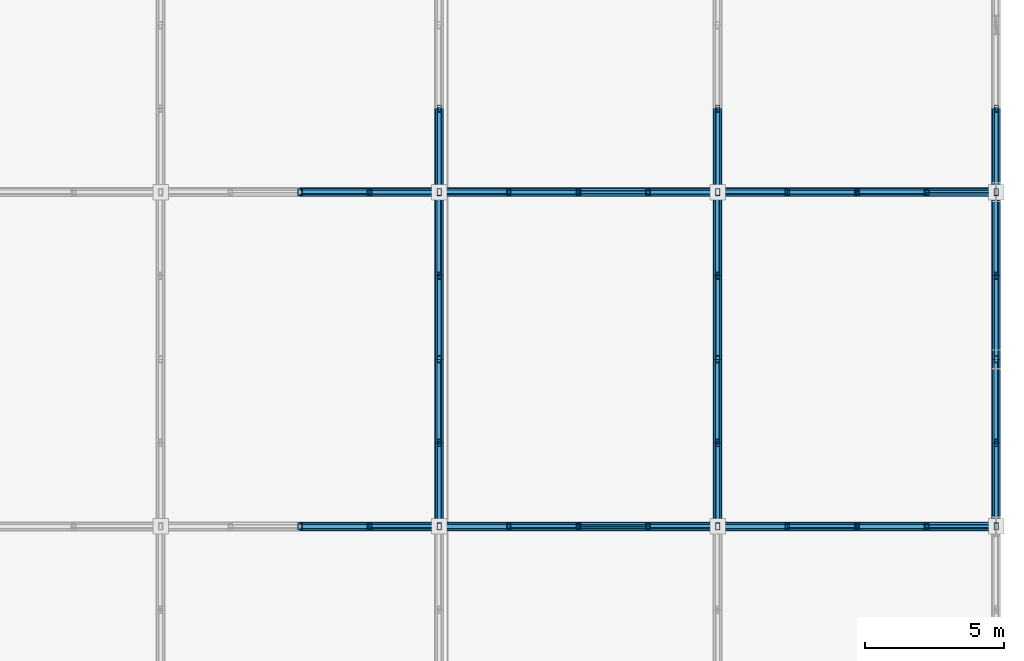
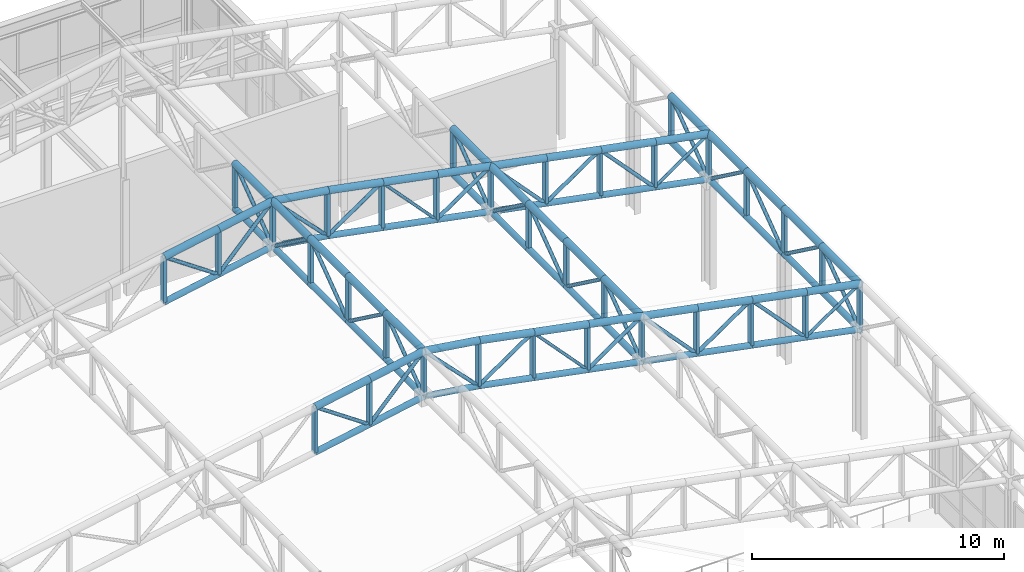
# One storey, part 67 of 112: 139 members.
"""IFC4 building model written with IfcOpenShell, lengths in metres."""

from ifc_helpers import new_model, si_unit, direction, frame, origin, origin_2d, place, context, subcontext, project, spatial, hollow_rectangle, hollow_circle, extrude, material, material_profile, profile_set, type_object, element, save


model = new_model("IFC4")

# Units and contexts
model_context = context("Model", 3, precision=1e-05, world=origin(), true_north=direction((0.0, 1.0)))
body_context = subcontext(model_context, "Body", "Model", "MODEL_VIEW")
ifc_project = project(units=[si_unit("LENGTHUNIT", "METRE"), si_unit("AREAUNIT", "SQUARE_METRE"), si_unit("VOLUMEUNIT", "CUBIC_METRE"), si_unit("PLANEANGLEUNIT", "RADIAN"), si_unit("MASSUNIT", "GRAM", prefix="KILO")], contexts=[model_context])

# Site, building, storey
site_placement = place(None, origin())
site = spatial("IfcSite", under=ifc_project, at=site_placement, CompositionType="ELEMENT")
building_placement = place(site_placement, origin())
building = spatial("IfcBuilding", under=site, at=building_placement, Name="Kaldris Quays Convention Centre", CompositionType="ELEMENT")
storey_placement = place(building_placement, frame((0.0, 0.0, 16.800048828125)))
storey = spatial("IfcBuildingStorey", under=building, at=storey_placement, Name="L03", CompositionType="ELEMENT", Elevation=16.800048828125)

# Members
ifc_material = material(Name="Steel S355J2H", Category="steel")
ifc_material_profile_1 = material_profile(ifc_material, hollow_circle(Radius=0.161865234375, WallThickness=0.01611328125, at=origin_2d()), Name="CHS 323.9x16")
ifc_profile_set_1 = profile_set([ifc_material_profile_1], Name="Steel S355J2H")
member_type_1 = type_object("IfcMemberType", Name="STRUCTURAL MEMBER SC03", PredefinedType="CHORD", material=ifc_profile_set_1)
for number, where, z_axis, x_axis, name in (
    (1, (179.0, 80.0, 10.108154296875), (0.981903710383, 0.0, 0.189380842579), (0.0, 1.0, 0.0), "SF-V2 Top Chord X 36"),
    (2, (181.5, 80.0, 10.59033203125), (0.981903710383, 0.0, 0.189380842579), (0.0, 1.0, 0.0), "SF-V2 Top Chord X 37"),
):
    element("IfcMember", number, at=place(storey_placement, frame(where, z_axis=z_axis, x_axis=x_axis)), inside=storey, type_object=member_type_1, Name=name, PredefinedType="CHORD", context=body_context, shape_type="SweptSolid", body=[
        extrude(hollow_circle(Radius=0.161865234375, WallThickness=0.01611328125, at=origin_2d()), origin(), (0.0, 0.0, 1.0), 2.546142578125),
    ])
member_1_placement = place(storey_placement, frame((184.0, 80.0, 11.072509765625), z_axis=(0.989426934202, 0.0, -0.145032209789), x_axis=(0.0, 1.0, 0.0)))
element("IfcMember", 3, at=member_1_placement, inside=storey, type_object=member_type_1, Name="SF-V2 Top Chord X 38", PredefinedType="CHORD", context=body_context, shape_type="SweptSolid", body=[
    extrude(hollow_circle(Radius=0.161865234375, WallThickness=0.01611328125, at=origin_2d()), origin(), (0.0, 0.0, 1.0), 2.526611328125),
])
for number, where, z_axis, x_axis, name in (
    (4, (186.5, 80.0, 10.7060546875), (0.981903710383, 0.0, -0.189380842579), (0.0, 1.0, 0.0), "SF-V2 Top Chord X 39"),
    (5, (189.0, 80.0, 10.223876953125), (0.981903710383, 0.0, -0.189380842579), (0.0, 1.0, 0.0), "SF-V2 Top Chord X 40"),
    (6, (191.5, 80.0, 9.74169921875), (0.981885875429, 0.0, -0.189473290024), (0.0, 1.0, 0.0), "SF-V2 Top Chord X 41"),
    (7, (194.0, 80.0, 9.25927734375), (0.981903710383, 0.0, -0.189380842579), (0.0, 1.0, 0.0), "SF-V2 Top Chord X 42"),
    (8, (196.5, 80.0, 8.777099609375), (0.981903710383, 0.0, -0.189380842579), (0.0, 1.0, 0.0), "SF-V2 Top Chord X 43"),
    (9, (199.0, 80.0, 8.294921875), (0.981903710383, 0.0, -0.189380842579), (0.0, 1.0, 0.0), "SF-V2 Top Chord X 44"),
    (10, (201.5, 80.0, 7.812744140625), (0.981903710383, 0.0, -0.189380842579), (0.0, 1.0, 0.0), "SF-V2 Top Chord X 45"),
    (11, (179.0, 92.0, 10.108154296875), (0.981903710383, 0.0, 0.189380842579), (0.0, 1.0, 0.0), "SF-V2 Top Chord X 51"),
    (12, (181.5, 92.0, 10.59033203125), (0.981903710383, 0.0, 0.189380842579), (0.0, 1.0, 0.0), "SF-V2 Top Chord X 52"),
):
    element("IfcMember", number, at=place(storey_placement, frame(where, z_axis=z_axis, x_axis=x_axis)), inside=storey, type_object=member_type_1, Name=name, PredefinedType="CHORD", context=body_context, shape_type="SweptSolid", body=[
        extrude(hollow_circle(Radius=0.161865234375, WallThickness=0.01611328125, at=origin_2d()), origin(), (0.0, 0.0, 1.0), 2.546142578125),
    ])
member_2_placement = place(storey_placement, frame((184.0, 92.0, 11.072509765625), z_axis=(0.989426934202, 0.0, -0.145032209789), x_axis=(0.0, 1.0, 0.0)))
element("IfcMember", 13, at=member_2_placement, inside=storey, type_object=member_type_1, Name="SF-V2 Top Chord X 53", PredefinedType="CHORD", context=body_context, shape_type="SweptSolid", body=[
    extrude(hollow_circle(Radius=0.161865234375, WallThickness=0.01611328125, at=origin_2d()), origin(), (0.0, 0.0, 1.0), 2.526611328125),
])
for number, where, z_axis, x_axis, name in (
    (14, (186.5, 92.0, 10.7060546875), (0.981903710383, 0.0, -0.189380842579), (0.0, 1.0, 0.0), "SF-V2 Top Chord X 54"),
    (15, (189.0, 92.0, 10.223876953125), (0.981903710383, 0.0, -0.189380842579), (0.0, 1.0, 0.0), "SF-V2 Top Chord X 55"),
    (16, (191.5, 92.0, 9.74169921875), (0.981885875429, 0.0, -0.189473290024), (0.0, 1.0, 0.0), "SF-V2 Top Chord X 56"),
    (17, (194.0, 92.0, 9.25927734375), (0.981903710383, 0.0, -0.189380842579), (0.0, 1.0, 0.0), "SF-V2 Top Chord X 57"),
    (18, (196.5, 92.0, 8.777099609375), (0.981903710383, 0.0, -0.189380842579), (0.0, 1.0, 0.0), "SF-V2 Top Chord X 58"),
    (19, (199.0, 92.0, 8.294921875), (0.981903710383, 0.0, -0.189380842579), (0.0, 1.0, 0.0), "SF-V2 Top Chord X 59"),
    (20, (201.5, 92.0, 7.812744140625), (0.981903710383, 0.0, -0.189380842579), (0.0, 1.0, 0.0), "SF-V2 Top Chord X 60"),
):
    element("IfcMember", number, at=place(storey_placement, frame(where, z_axis=z_axis, x_axis=x_axis)), inside=storey, type_object=member_type_1, Name=name, PredefinedType="CHORD", context=body_context, shape_type="SweptSolid", body=[
        extrude(hollow_circle(Radius=0.161865234375, WallThickness=0.01611328125, at=origin_2d()), origin(), (0.0, 0.0, 1.0), 2.546142578125),
    ])
for number, where, z_axis, x_axis, name in (
    (21, (184.0, 80.0, 11.072509765625), (0.0, 1.0, 0.0), (-1.0, 0.0, 0.0), "SF-V2 Top Chord Y 116"),
    (22, (184.0, 83.0, 11.072509765625), (0.0, 1.0, 0.0), (-1.0, 0.0, 0.0), "SF-V2 Top Chord Y 117"),
    (23, (184.0, 86.0, 11.072509765625), (0.0, 1.0, 0.0), (-1.0, 0.0, 0.0), "SF-V2 Top Chord Y 118"),
    (24, (184.0, 89.0, 11.072509765625), (0.0, 1.0, 0.0), (-1.0, 0.0, 0.0), "SF-V2 Top Chord Y 119"),
    (25, (184.0, 92.0, 11.072509765625), (0.0, 1.0, 0.0), (-1.0, 0.0, 0.0), "SF-V2 Top Chord Y 120"),
    (26, (194.0, 80.0, 9.25927734375), (0.0, 1.0, 0.0), (-1.0, 0.0, 0.0), "SF-V2 Top Chord Y 132"),
    (27, (194.0, 83.0, 9.25927734375), (0.0, 1.0, 0.0), (-1.0, 0.0, 0.0), "SF-V2 Top Chord Y 133"),
    (28, (194.0, 86.0, 9.25927734375), (0.0, 1.0, 0.0), (-1.0, 0.0, 0.0), "SF-V2 Top Chord Y 134"),
    (29, (194.0, 89.0, 9.25927734375), (0.0, 1.0, 0.0), (-1.0, 0.0, 0.0), "SF-V2 Top Chord Y 135"),
    (30, (194.0, 92.0, 9.25927734375), (0.0, 1.0, 0.0), (-1.0, 0.0, 0.0), "SF-V2 Top Chord Y 136"),
    (31, (204.0, 80.0, 7.33056640625), (0.0, 1.0, 0.0), (-1.0, 0.0, 0.0), "SF-V2 Top Chord Y 148"),
    (32, (204.0, 83.0, 7.33056640625), (0.0, 1.0, 0.0), (-1.0, 0.0, 0.0), "SF-V2 Top Chord Y 149"),
    (33, (204.0, 86.0, 7.33056640625), (0.0, 1.0, 0.0), (-1.0, 0.0, 0.0), "SF-V2 Top Chord Y 150"),
    (34, (204.0, 89.0, 7.33056640625), (0.0, 1.0, 0.0), (-1.0, 0.0, 0.0), "SF-V2 Top Chord Y 151"),
    (35, (204.0, 92.0, 7.33056640625), (0.0, 1.0, 0.0), (-1.0, 0.0, 0.0), "SF-V2 Top Chord Y 152"),
):
    element("IfcMember", number, at=place(storey_placement, frame(where, z_axis=z_axis, x_axis=x_axis)), inside=storey, type_object=member_type_1, Name=name, PredefinedType="CHORD", context=body_context, shape_type="SweptSolid", body=[
        extrude(hollow_circle(Radius=0.161865234375, WallThickness=0.01611328125, at=origin_2d()), origin(), (0.0, 0.0, 1.0), 3.0),
    ])
ifc_material_profile_2 = material_profile(ifc_material, hollow_circle(Radius=0.136474609375, WallThickness=0.012451171875, at=origin_2d()), Name="CHS 273x12.5")
ifc_profile_set_2 = profile_set([ifc_material_profile_2], Name="Steel S355J2H")
member_type_2 = type_object("IfcMemberType", Name="STRUCTURAL MEMBER SC04", PredefinedType="CHORD", material=ifc_profile_set_2)
for number, where, z_axis, x_axis, name in (
    (36, (179.0, 80.0, 7.908203125), (0.981903710383, 0.0, 0.189380842579), (0.0, 1.0, 0.0), "SF-V2 Bottom Chord X 36"),
    (37, (181.5, 80.0, 8.390380859375), (0.981903710383, 0.0, 0.189380842579), (0.0, 1.0, 0.0), "SF-V2 Bottom Chord X 37"),
):
    element("IfcMember", number, at=place(storey_placement, frame(where, z_axis=z_axis, x_axis=x_axis)), inside=storey, type_object=member_type_2, Name=name, PredefinedType="CHORD", context=body_context, shape_type="SweptSolid", body=[
        extrude(hollow_circle(Radius=0.136474609375, WallThickness=0.012451171875, at=origin_2d()), origin(), (0.0, 0.0, 1.0), 2.546142578125),
    ])
member_3_placement = place(storey_placement, frame((184.0, 80.0, 8.87255859375), z_axis=(0.989426934202, 0.0, -0.145032209789), x_axis=(0.0, 1.0, 0.0)))
element("IfcMember", 38, at=member_3_placement, inside=storey, type_object=member_type_2, Name="SF-V2 Bottom Chord X 38", PredefinedType="CHORD", context=body_context, shape_type="SweptSolid", body=[
    extrude(hollow_circle(Radius=0.136474609375, WallThickness=0.012451171875, at=origin_2d()), origin(), (0.0, 0.0, 1.0), 2.526611328125),
])
for number, where, z_axis, x_axis, name in (
    (39, (186.5, 80.0, 8.506103515625), (0.981903710383, 0.0, -0.189380842579), (0.0, 1.0, 0.0), "SF-V2 Bottom Chord X 39"),
    (40, (189.0, 80.0, 8.02392578125), (0.981903710383, 0.0, -0.189380842579), (0.0, 1.0, 0.0), "SF-V2 Bottom Chord X 40"),
    (41, (191.5, 80.0, 7.541748046875), (0.981885875429, 0.0, -0.189473290024), (0.0, 1.0, 0.0), "SF-V2 Bottom Chord X 41"),
    (42, (194.0, 80.0, 7.059326171875), (0.981903710383, 0.0, -0.189380842579), (0.0, 1.0, 0.0), "SF-V2 Bottom Chord X 42"),
    (43, (196.5, 80.0, 6.5771484375), (0.981903710383, 0.0, -0.189380842579), (0.0, 1.0, 0.0), "SF-V2 Bottom Chord X 43"),
    (44, (199.0, 80.0, 6.094970703125), (0.981885875429, 0.0, -0.189473290024), (0.0, 1.0, 0.0), "SF-V2 Bottom Chord X 44"),
    (45, (201.5, 80.0, 5.612548828125), (0.981903710383, 0.0, -0.189380842579), (0.0, 1.0, 0.0), "SF-V2 Bottom Chord X 45"),
    (46, (179.0, 92.0, 7.908203125), (0.981903710383, 0.0, 0.189380842579), (0.0, 1.0, 0.0), "SF-V2 Bottom Chord X 51"),
    (47, (181.5, 92.0, 8.390380859375), (0.981903710383, 0.0, 0.189380842579), (0.0, 1.0, 0.0), "SF-V2 Bottom Chord X 52"),
):
    element("IfcMember", number, at=place(storey_placement, frame(where, z_axis=z_axis, x_axis=x_axis)), inside=storey, type_object=member_type_2, Name=name, PredefinedType="CHORD", context=body_context, shape_type="SweptSolid", body=[
        extrude(hollow_circle(Radius=0.136474609375, WallThickness=0.012451171875, at=origin_2d()), origin(), (0.0, 0.0, 1.0), 2.546142578125),
    ])
member_4_placement = place(storey_placement, frame((184.0, 92.0, 8.87255859375), z_axis=(0.989426934202, 0.0, -0.145032209789), x_axis=(0.0, 1.0, 0.0)))
element("IfcMember", 48, at=member_4_placement, inside=storey, type_object=member_type_2, Name="SF-V2 Bottom Chord X 53", PredefinedType="CHORD", context=body_context, shape_type="SweptSolid", body=[
    extrude(hollow_circle(Radius=0.136474609375, WallThickness=0.012451171875, at=origin_2d()), origin(), (0.0, 0.0, 1.0), 2.526611328125),
])
for number, where, z_axis, x_axis, name in (
    (49, (186.5, 92.0, 8.506103515625), (0.981903710383, 0.0, -0.189380842579), (0.0, 1.0, 0.0), "SF-V2 Bottom Chord X 54"),
    (50, (189.0, 92.0, 8.02392578125), (0.981903710383, 0.0, -0.189380842579), (0.0, 1.0, 0.0), "SF-V2 Bottom Chord X 55"),
    (51, (191.5, 92.0, 7.541748046875), (0.981885875429, 0.0, -0.189473290024), (0.0, 1.0, 0.0), "SF-V2 Bottom Chord X 56"),
    (52, (194.0, 92.0, 7.059326171875), (0.981903710383, 0.0, -0.189380842579), (0.0, 1.0, 0.0), "SF-V2 Bottom Chord X 57"),
    (53, (196.5, 92.0, 6.5771484375), (0.981903710383, 0.0, -0.189380842579), (0.0, 1.0, 0.0), "SF-V2 Bottom Chord X 58"),
    (54, (199.0, 92.0, 6.094970703125), (0.981885875429, 0.0, -0.189473290024), (0.0, 1.0, 0.0), "SF-V2 Bottom Chord X 59"),
    (55, (201.5, 92.0, 5.612548828125), (0.981903710383, 0.0, -0.189380842579), (0.0, 1.0, 0.0), "SF-V2 Bottom Chord X 60"),
):
    element("IfcMember", number, at=place(storey_placement, frame(where, z_axis=z_axis, x_axis=x_axis)), inside=storey, type_object=member_type_2, Name=name, PredefinedType="CHORD", context=body_context, shape_type="SweptSolid", body=[
        extrude(hollow_circle(Radius=0.136474609375, WallThickness=0.012451171875, at=origin_2d()), origin(), (0.0, 0.0, 1.0), 2.546142578125),
    ])
for number, where, z_axis, x_axis, name in (
    (56, (184.0, 80.0, 8.87255859375), (0.0, 1.0, 0.0), (-1.0, 0.0, 0.0), "SF-V2 Bottom Chord Y 116"),
    (57, (184.0, 83.0, 8.87255859375), (0.0, 1.0, 0.0), (-1.0, 0.0, 0.0), "SF-V2 Bottom Chord Y 117"),
    (58, (184.0, 86.0, 8.87255859375), (0.0, 1.0, 0.0), (-1.0, 0.0, 0.0), "SF-V2 Bottom Chord Y 118"),
    (59, (184.0, 89.0, 8.87255859375), (0.0, 1.0, 0.0), (-1.0, 0.0, 0.0), "SF-V2 Bottom Chord Y 119"),
    (60, (184.0, 92.0, 8.87255859375), (0.0, 1.0, 0.0), (-1.0, 0.0, 0.0), "SF-V2 Bottom Chord Y 120"),
    (61, (194.0, 80.0, 7.059326171875), (0.0, 1.0, 0.0), (-1.0, 0.0, 0.0), "SF-V2 Bottom Chord Y 132"),
    (62, (194.0, 83.0, 7.059326171875), (0.0, 1.0, 0.0), (-1.0, 0.0, 0.0), "SF-V2 Bottom Chord Y 133"),
    (63, (194.0, 86.0, 7.059326171875), (0.0, 1.0, 0.0), (-1.0, 0.0, 0.0), "SF-V2 Bottom Chord Y 134"),
    (64, (194.0, 89.0, 7.059326171875), (0.0, 1.0, 0.0), (-1.0, 0.0, 0.0), "SF-V2 Bottom Chord Y 135"),
    (65, (194.0, 92.0, 7.059326171875), (0.0, 1.0, 0.0), (-1.0, 0.0, 0.0), "SF-V2 Bottom Chord Y 136"),
    (66, (204.0, 80.0, 5.13037109375), (0.0, 1.0, 0.0), (-1.0, 0.0, 0.0), "SF-V2 Bottom Chord Y 148"),
    (67, (204.0, 83.0, 5.13037109375), (0.0, 1.0, 0.0), (-1.0, 0.0, 0.0), "SF-V2 Bottom Chord Y 149"),
    (68, (204.0, 86.0, 5.13037109375), (0.0, 1.0, 0.0), (-1.0, 0.0, 0.0), "SF-V2 Bottom Chord Y 150"),
    (69, (204.0, 89.0, 5.13037109375), (0.0, 1.0, 0.0), (-1.0, 0.0, 0.0), "SF-V2 Bottom Chord Y 151"),
    (70, (204.0, 92.0, 5.13037109375), (0.0, 1.0, 0.0), (-1.0, 0.0, 0.0), "SF-V2 Bottom Chord Y 152"),
):
    element("IfcMember", number, at=place(storey_placement, frame(where, z_axis=z_axis, x_axis=x_axis)), inside=storey, type_object=member_type_2, Name=name, PredefinedType="CHORD", context=body_context, shape_type="SweptSolid", body=[
        extrude(hollow_circle(Radius=0.136474609375, WallThickness=0.012451171875, at=origin_2d()), origin(), (0.0, 0.0, 1.0), 3.0),
    ])
ifc_material_profile_3 = material_profile(ifc_material, hollow_circle(Radius=0.084228515625, WallThickness=0.008056640625, at=origin_2d()), Name="CHS 168.3x8")
ifc_profile_set_3 = profile_set([ifc_material_profile_3], Name="Steel S355J2H")
member_type_3 = type_object("IfcMemberType", Name="STRUCTURAL MEMBER SWB2", PredefinedType="BRACE", material=ifc_profile_set_3)
member_5_placement = place(storey_placement, frame((181.5, 80.0, 8.390380859375), z_axis=(-0.8241921955, 0.0, 0.56631018433), x_axis=(0.0, -1.0, 0.0)))
element("IfcMember", 71, at=member_5_placement, inside=storey, type_object=member_type_3, Name="SF-V2 Web Diagonal X 36", PredefinedType="BRACE", context=body_context, shape_type="SweptSolid", body=[
    extrude(hollow_circle(Radius=0.084228515625, WallThickness=0.008056640625, at=origin_2d()), origin(), (0.0, 0.0, 1.0), 3.033203125),
])
member_6_placement = place(storey_placement, frame((181.5, 80.0, 8.390380859375), z_axis=(0.68183413121, 0.0, 0.731506813035), x_axis=(0.0, 1.0, 0.0)))
element("IfcMember", 72, at=member_6_placement, inside=storey, type_object=member_type_3, Name="SF-V2 Web Diagonal X 37", PredefinedType="BRACE", context=body_context, shape_type="SweptSolid", body=[
    extrude(hollow_circle(Radius=0.084228515625, WallThickness=0.008056640625, at=origin_2d()), origin(), (0.0, 0.0, 1.0), 3.66650390625),
])
member_7_placement = place(storey_placement, frame((186.5, 80.0, 8.506103515625), z_axis=(-0.697778676232, 0.0, 0.71631342232), x_axis=(0.0, -1.0, 0.0)))
element("IfcMember", 73, at=member_7_placement, inside=storey, type_object=member_type_3, Name="SF-V2 Web Diagonal X 38", PredefinedType="BRACE", context=body_context, shape_type="SweptSolid", body=[
    extrude(hollow_circle(Radius=0.084228515625, WallThickness=0.008056640625, at=origin_2d()), origin(), (0.0, 0.0, 1.0), 3.582763671875),
])
for number, where, z_axis, x_axis, name in (
    (74, (186.5, 80.0, 8.506103515625), (0.8241921955, 0.0, 0.56631018433), (0.0, 1.0, 0.0), "SF-V2 Web Diagonal X 39"),
    (75, (191.5, 80.0, 7.541748046875), (0.824229762823, 0.0, 0.566255506002), (0.0, 1.0, 0.0), "SF-V2 Web Diagonal X 41"),
):
    element("IfcMember", number, at=place(storey_placement, frame(where, z_axis=z_axis, x_axis=x_axis)), inside=storey, type_object=member_type_3, Name=name, PredefinedType="BRACE", context=body_context, shape_type="SweptSolid", body=[
        extrude(hollow_circle(Radius=0.084228515625, WallThickness=0.008056640625, at=origin_2d()), origin(), (0.0, 0.0, 1.0), 3.033203125),
    ])
member_8_placement = place(storey_placement, frame((196.5, 80.0, 6.5771484375), z_axis=(-0.68183413121, 0.0, 0.731506813035), x_axis=(0.0, -1.0, 0.0)))
element("IfcMember", 76, at=member_8_placement, inside=storey, type_object=member_type_3, Name="SF-V2 Web Diagonal X 42", PredefinedType="BRACE", context=body_context, shape_type="SweptSolid", body=[
    extrude(hollow_circle(Radius=0.084228515625, WallThickness=0.008056640625, at=origin_2d()), origin(), (0.0, 0.0, 1.0), 3.66650390625),
])
member_9_placement = place(storey_placement, frame((196.5, 80.0, 6.5771484375), z_axis=(0.8241921955, 0.0, 0.56631018433), x_axis=(0.0, 1.0, 0.0)))
element("IfcMember", 77, at=member_9_placement, inside=storey, type_object=member_type_3, Name="SF-V2 Web Diagonal X 43", PredefinedType="BRACE", context=body_context, shape_type="SweptSolid", body=[
    extrude(hollow_circle(Radius=0.084228515625, WallThickness=0.008056640625, at=origin_2d()), origin(), (0.0, 0.0, 1.0), 3.033203125),
])
member_10_placement = place(storey_placement, frame((201.5, 80.0, 5.612548828125), z_axis=(-0.681800921589, 0.0, 0.731537766162), x_axis=(0.0, -1.0, 0.0)))
element("IfcMember", 78, at=member_10_placement, inside=storey, type_object=member_type_3, Name="SF-V2 Web Diagonal X 44", PredefinedType="BRACE", context=body_context, shape_type="SweptSolid", body=[
    extrude(hollow_circle(Radius=0.084228515625, WallThickness=0.008056640625, at=origin_2d()), origin(), (0.0, 0.0, 1.0), 3.666748046875),
])
member_11_placement = place(storey_placement, frame((181.5, 92.0, 8.390380859375), z_axis=(-0.8241921955, 0.0, 0.56631018433), x_axis=(0.0, -1.0, 0.0)))
element("IfcMember", 79, at=member_11_placement, inside=storey, type_object=member_type_3, Name="SF-V2 Web Diagonal X 51", PredefinedType="BRACE", context=body_context, shape_type="SweptSolid", body=[
    extrude(hollow_circle(Radius=0.084228515625, WallThickness=0.008056640625, at=origin_2d()), origin(), (0.0, 0.0, 1.0), 3.033203125),
])
member_12_placement = place(storey_placement, frame((181.5, 92.0, 8.390380859375), z_axis=(0.68183413121, 0.0, 0.731506813035), x_axis=(0.0, 1.0, 0.0)))
element("IfcMember", 80, at=member_12_placement, inside=storey, type_object=member_type_3, Name="SF-V2 Web Diagonal X 52", PredefinedType="BRACE", context=body_context, shape_type="SweptSolid", body=[
    extrude(hollow_circle(Radius=0.084228515625, WallThickness=0.008056640625, at=origin_2d()), origin(), (0.0, 0.0, 1.0), 3.66650390625),
])
member_13_placement = place(storey_placement, frame((186.5, 92.0, 8.506103515625), z_axis=(-0.697778676232, 0.0, 0.71631342232), x_axis=(0.0, -1.0, 0.0)))
element("IfcMember", 81, at=member_13_placement, inside=storey, type_object=member_type_3, Name="SF-V2 Web Diagonal X 53", PredefinedType="BRACE", context=body_context, shape_type="SweptSolid", body=[
    extrude(hollow_circle(Radius=0.084228515625, WallThickness=0.008056640625, at=origin_2d()), origin(), (0.0, 0.0, 1.0), 3.582763671875),
])
for number, where, z_axis, x_axis, name in (
    (82, (186.5, 92.0, 8.506103515625), (0.8241921955, 0.0, 0.56631018433), (0.0, 1.0, 0.0), "SF-V2 Web Diagonal X 54"),
    (83, (191.5, 92.0, 7.541748046875), (0.824229762823, 0.0, 0.566255506002), (0.0, 1.0, 0.0), "SF-V2 Web Diagonal X 56"),
):
    element("IfcMember", number, at=place(storey_placement, frame(where, z_axis=z_axis, x_axis=x_axis)), inside=storey, type_object=member_type_3, Name=name, PredefinedType="BRACE", context=body_context, shape_type="SweptSolid", body=[
        extrude(hollow_circle(Radius=0.084228515625, WallThickness=0.008056640625, at=origin_2d()), origin(), (0.0, 0.0, 1.0), 3.033203125),
    ])
member_14_placement = place(storey_placement, frame((196.5, 92.0, 6.5771484375), z_axis=(-0.68183413121, 0.0, 0.731506813035), x_axis=(0.0, -1.0, 0.0)))
element("IfcMember", 84, at=member_14_placement, inside=storey, type_object=member_type_3, Name="SF-V2 Web Diagonal X 57", PredefinedType="BRACE", context=body_context, shape_type="SweptSolid", body=[
    extrude(hollow_circle(Radius=0.084228515625, WallThickness=0.008056640625, at=origin_2d()), origin(), (0.0, 0.0, 1.0), 3.66650390625),
])
member_15_placement = place(storey_placement, frame((196.5, 92.0, 6.5771484375), z_axis=(0.8241921955, 0.0, 0.56631018433), x_axis=(0.0, 1.0, 0.0)))
element("IfcMember", 85, at=member_15_placement, inside=storey, type_object=member_type_3, Name="SF-V2 Web Diagonal X 58", PredefinedType="BRACE", context=body_context, shape_type="SweptSolid", body=[
    extrude(hollow_circle(Radius=0.084228515625, WallThickness=0.008056640625, at=origin_2d()), origin(), (0.0, 0.0, 1.0), 3.033203125),
])
member_16_placement = place(storey_placement, frame((201.5, 92.0, 5.612548828125), z_axis=(-0.681800921589, 0.0, 0.731537766162), x_axis=(0.0, -1.0, 0.0)))
element("IfcMember", 86, at=member_16_placement, inside=storey, type_object=member_type_3, Name="SF-V2 Web Diagonal X 59", PredefinedType="BRACE", context=body_context, shape_type="SweptSolid", body=[
    extrude(hollow_circle(Radius=0.084228515625, WallThickness=0.008056640625, at=origin_2d()), origin(), (0.0, 0.0, 1.0), 3.666748046875),
])
for number, where, z_axis, x_axis, name in (
    (87, (184.0, 80.0, 8.87255859375), (0.0, 0.80641125493, 0.591355128432), (-1.0, 0.0, 0.0), "SF-V2 Web Diagonal Y 116"),
    (88, (184.0, 86.0, 8.87255859375), (0.0, -0.80641125493, 0.591355128432), (1.0, 0.0, 0.0), "SF-V2 Web Diagonal Y 117"),
    (89, (184.0, 86.0, 8.87255859375), (0.0, 0.80641125493, 0.591355128432), (-1.0, 0.0, 0.0), "SF-V2 Web Diagonal Y 118"),
    (90, (184.0, 92.0, 8.87255859375), (0.0, -0.80641125493, 0.591355128432), (1.0, 0.0, 0.0), "SF-V2 Web Diagonal Y 119"),
    (91, (184.0, 92.0, 8.87255859375), (0.0, 0.80641125493, 0.591355128432), (-1.0, 0.0, 0.0), "SF-V2 Web Diagonal Y 120"),
    (92, (194.0, 80.0, 7.059326171875), (0.0, 0.80641125493, 0.591355128432), (-1.0, 0.0, 0.0), "SF-V2 Web Diagonal Y 132"),
    (93, (194.0, 86.0, 7.059326171875), (0.0, -0.80641125493, 0.591355128432), (1.0, 0.0, 0.0), "SF-V2 Web Diagonal Y 133"),
    (94, (194.0, 86.0, 7.059326171875), (0.0, 0.80641125493, 0.591355128432), (-1.0, 0.0, 0.0), "SF-V2 Web Diagonal Y 134"),
    (95, (194.0, 92.0, 7.059326171875), (0.0, -0.80641125493, 0.591355128432), (1.0, 0.0, 0.0), "SF-V2 Web Diagonal Y 135"),
    (96, (194.0, 92.0, 7.059326171875), (0.0, 0.80641125493, 0.591355128432), (-1.0, 0.0, 0.0), "SF-V2 Web Diagonal Y 136"),
    (97, (204.0, 80.0, 5.13037109375), (0.0, 0.806379959628, 0.591397802423), (-1.0, 0.0, 0.0), "SF-V2 Web Diagonal Y 148"),
    (98, (204.0, 86.0, 5.13037109375), (0.0, -0.806379959628, 0.591397802423), (1.0, 0.0, 0.0), "SF-V2 Web Diagonal Y 149"),
    (99, (204.0, 86.0, 5.13037109375), (0.0, 0.806379959628, 0.591397802423), (-1.0, 0.0, 0.0), "SF-V2 Web Diagonal Y 150"),
    (100, (204.0, 92.0, 5.13037109375), (0.0, -0.806379959628, 0.591397802423), (1.0, 0.0, 0.0), "SF-V2 Web Diagonal Y 151"),
    (101, (204.0, 92.0, 5.13037109375), (0.0, 0.806379959628, 0.591397802423), (-1.0, 0.0, 0.0), "SF-V2 Web Diagonal Y 152"),
):
    element("IfcMember", number, at=place(storey_placement, frame(where, z_axis=z_axis, x_axis=x_axis)), inside=storey, type_object=member_type_3, Name=name, PredefinedType="BRACE", context=body_context, shape_type="SweptSolid", body=[
        extrude(hollow_circle(Radius=0.084228515625, WallThickness=0.008056640625, at=origin_2d()), origin(), (0.0, 0.0, 1.0), 3.72021484375),
    ])
ifc_material_profile_4 = material_profile(ifc_material, hollow_circle(Radius=0.06982421875, WallThickness=0.00634765625, at=origin_2d()), Name="CHS 139.7x6.3")
ifc_profile_set_4 = profile_set([ifc_material_profile_4], Name="Steel S355J2H")
member_type_4 = type_object("IfcMemberType", Name="STRUCTURAL MEMBER SWB4", PredefinedType="BRACE", material=ifc_profile_set_4)
member_17_placement = place(storey_placement, frame((191.5, 80.0, 7.541748046875), z_axis=(-0.68183413121, 0.0, 0.731506813035), x_axis=(0.0, -1.0, 0.0)))
element("IfcMember", 102, at=member_17_placement, inside=storey, type_object=member_type_4, Name="SF-V2 Web Diagonal X 40", PredefinedType="BRACE", context=body_context, shape_type="SweptSolid", body=[
    extrude(hollow_circle(Radius=0.06982421875, WallThickness=0.00634765625, at=origin_2d()), origin(), (0.0, 0.0, 1.0), 3.66650390625),
])
member_18_placement = place(storey_placement, frame((201.5, 80.0, 5.612548828125), z_axis=(0.824154627976, 0.0, 0.566364855182), x_axis=(0.0, 1.0, 0.0)))
element("IfcMember", 103, at=member_18_placement, inside=storey, type_object=member_type_4, Name="SF-V2 Web Diagonal X 45", PredefinedType="BRACE", context=body_context, shape_type="SweptSolid", body=[
    extrude(hollow_circle(Radius=0.06982421875, WallThickness=0.00634765625, at=origin_2d()), origin(), (0.0, 0.0, 1.0), 3.033447265625),
])
member_19_placement = place(storey_placement, frame((191.5, 92.0, 7.541748046875), z_axis=(-0.68183413121, 0.0, 0.731506813035), x_axis=(0.0, -1.0, 0.0)))
element("IfcMember", 104, at=member_19_placement, inside=storey, type_object=member_type_4, Name="SF-V2 Web Diagonal X 55", PredefinedType="BRACE", context=body_context, shape_type="SweptSolid", body=[
    extrude(hollow_circle(Radius=0.06982421875, WallThickness=0.00634765625, at=origin_2d()), origin(), (0.0, 0.0, 1.0), 3.66650390625),
])
member_20_placement = place(storey_placement, frame((201.5, 92.0, 5.612548828125), z_axis=(0.824154627976, 0.0, 0.566364855182), x_axis=(0.0, 1.0, 0.0)))
element("IfcMember", 105, at=member_20_placement, inside=storey, type_object=member_type_4, Name="SF-V2 Web Diagonal X 60", PredefinedType="BRACE", context=body_context, shape_type="SweptSolid", body=[
    extrude(hollow_circle(Radius=0.06982421875, WallThickness=0.00634765625, at=origin_2d()), origin(), (0.0, 0.0, 1.0), 3.033447265625),
])
ifc_material_profile_5 = material_profile(ifc_material, hollow_rectangle(XDim=0.14990234375, YDim=0.25, WallThickness=0.010009765625, at=origin_2d()), Name="RHS 250x150x10")
ifc_profile_set_5 = profile_set([ifc_material_profile_5], Name="Steel S355J2H")
member_type_5 = type_object("IfcMemberType", Name="STRUCTURAL MEMBER TTV1", PredefinedType="POST", material=ifc_profile_set_5)
for number, where, z_axis, x_axis, name in (
    (106, (179.0, 80.0, 7.908203125), (0.0, 0.0, 1.0), (1.0, 0.0, 0.0), "SF-V2 Space-Frame Post 52"),
    (107, (179.0, 92.0, 7.908203125), (0.0, 0.0, 1.0), (1.0, 0.0, 0.0), "SF-V2 Space-Frame Post 53"),
    (108, (181.5, 80.0, 8.390380859375), (0.0, 0.0, 1.0), (1.0, 0.0, 0.0), "SF-V2 Space-Frame Post 57"),
    (109, (181.5, 92.0, 8.390380859375), (0.0, 0.0, 1.0), (1.0, 0.0, 0.0), "SF-V2 Space-Frame Post 58"),
    (110, (184.0, 80.0, 8.87255859375), (0.0, 0.0, 1.0), (1.0, 0.0, 0.0), "SF-V2 Space-Frame Post 68"),
    (111, (184.0, 83.0, 8.87255859375), (0.0, 0.0, 1.0), (1.0, 0.0, 0.0), "SF-V2 Space-Frame Post 69"),
    (112, (184.0, 86.0, 8.87255859375), (0.0, 0.0, 1.0), (1.0, 0.0, 0.0), "SF-V2 Space-Frame Post 70"),
    (113, (184.0, 89.0, 8.87255859375), (0.0, 0.0, 1.0), (1.0, 0.0, 0.0), "SF-V2 Space-Frame Post 71"),
    (114, (184.0, 92.0, 8.87255859375), (0.0, 0.0, 1.0), (1.0, 0.0, 0.0), "SF-V2 Space-Frame Post 72"),
    (115, (184.0, 95.0, 8.87255859375), (0.0, 0.0, 1.0), (1.0, 0.0, 0.0), "SF-V2 Space-Frame Post 73"),
    (116, (186.5, 80.0, 8.506103515625), (0.0, 0.0, 1.0), (1.0, 0.0, 0.0), "SF-V2 Space-Frame Post 79"),
    (117, (186.5, 92.0, 8.506103515625), (0.0, 0.0, 1.0), (1.0, 0.0, 0.0), "SF-V2 Space-Frame Post 80"),
    (118, (189.0, 80.0, 8.02392578125), (0.0, 0.0, 1.0), (1.0, 0.0, 0.0), "SF-V2 Space-Frame Post 84"),
    (119, (189.0, 92.0, 8.02392578125), (0.0, 0.0, 1.0), (1.0, 0.0, 0.0), "SF-V2 Space-Frame Post 85"),
    (120, (191.5, 80.0, 7.541748046875), (0.0, 0.0, 1.0), (1.0, 0.0, 0.0), "SF-V2 Space-Frame Post 89"),
    (121, (191.5, 92.0, 7.541748046875), (0.0, 0.0, 1.0), (1.0, 0.0, 0.0), "SF-V2 Space-Frame Post 90"),
    (122, (194.0, 80.0, 7.059326171875), (0.0, 0.0, 1.0), (1.0, 0.0, 0.0), "SF-V2 Space-Frame Post 100"),
    (123, (194.0, 83.0, 7.059326171875), (0.0, 0.0, 1.0), (1.0, 0.0, 0.0), "SF-V2 Space-Frame Post 101"),
    (124, (194.0, 86.0, 7.059326171875), (0.0, 0.0, 1.0), (1.0, 0.0, 0.0), "SF-V2 Space-Frame Post 102"),
    (125, (194.0, 89.0, 7.059326171875), (0.0, 0.0, 1.0), (1.0, 0.0, 0.0), "SF-V2 Space-Frame Post 103"),
    (126, (194.0, 92.0, 7.059326171875), (0.0, 0.0, 1.0), (1.0, 0.0, 0.0), "SF-V2 Space-Frame Post 104"),
    (127, (194.0, 95.0, 7.059326171875), (0.0, 0.0, 1.0), (1.0, 0.0, 0.0), "SF-V2 Space-Frame Post 105"),
    (128, (196.5, 80.0, 6.5771484375), (0.0, 0.0, 1.0), (1.0, 0.0, 0.0), "SF-V2 Space-Frame Post 111"),
    (129, (196.5, 92.0, 6.5771484375), (0.0, 0.0, 1.0), (1.0, 0.0, 0.0), "SF-V2 Space-Frame Post 112"),
    (130, (199.0, 80.0, 6.094970703125), (0.0, 0.0, 1.0), (1.0, 0.0, 0.0), "SF-V2 Space-Frame Post 116"),
    (131, (199.0, 92.0, 6.094970703125), (0.0, 0.0, 1.0), (1.0, 0.0, 0.0), "SF-V2 Space-Frame Post 117"),
):
    element("IfcMember", number, at=place(storey_placement, frame(where, z_axis=z_axis, x_axis=x_axis)), inside=storey, type_object=member_type_5, Name=name, PredefinedType="POST", context=body_context, shape_type="SweptSolid", body=[
        extrude(hollow_rectangle(XDim=0.14990234375, YDim=0.25, WallThickness=0.010009765625, at=origin_2d()), origin(), (0.0, 0.0, 1.0), 2.199951171875),
    ])
for number, where, z_axis, x_axis, name in (
    (132, (201.5, 80.0, 5.612548828125), (0.0, 0.0, 1.0), (1.0, 0.0, 0.0), "SF-V2 Space-Frame Post 121"),
    (133, (201.5, 92.0, 5.612548828125), (0.0, 0.0, 1.0), (1.0, 0.0, 0.0), "SF-V2 Space-Frame Post 122"),
):
    element("IfcMember", number, at=place(storey_placement, frame(where, z_axis=z_axis, x_axis=x_axis)), inside=storey, type_object=member_type_5, Name=name, PredefinedType="POST", context=body_context, shape_type="SweptSolid", body=[
        extrude(hollow_rectangle(XDim=0.14990234375, YDim=0.25, WallThickness=0.010009765625, at=origin_2d()), origin(), (0.0, 0.0, 1.0), 2.2001953125),
    ])
member_21_placement = place(storey_placement, frame((204.0, 80.0, 4.993896484375), z_axis=(0.0, 0.0, 1.0), x_axis=(1.0, 0.0, 0.0)))
element("IfcMember", 134, at=member_21_placement, inside=storey, type_object=member_type_5, Name="SF-V2 Space-Frame Post 132", PredefinedType="POST", context=body_context, shape_type="SweptSolid", body=[
    extrude(hollow_rectangle(XDim=0.14990234375, YDim=0.25, WallThickness=0.010009765625, at=origin_2d()), origin(), (0.0, 0.0, 1.0), 2.336669921875),
])
member_22_placement = place(storey_placement, frame((204.0, 83.0, 5.13037109375), z_axis=(0.0, 0.0, 1.0), x_axis=(1.0, 0.0, 0.0)))
element("IfcMember", 135, at=member_22_placement, inside=storey, type_object=member_type_5, Name="SF-V2 Space-Frame Post 133", PredefinedType="POST", context=body_context, shape_type="SweptSolid", body=[
    extrude(hollow_rectangle(XDim=0.14990234375, YDim=0.25, WallThickness=0.010009765625, at=origin_2d()), origin(), (0.0, 0.0, 1.0), 2.2001953125),
])
member_23_placement = place(storey_placement, frame((204.0, 86.0, 4.993896484375), z_axis=(0.0, 0.0, 1.0), x_axis=(1.0, 0.0, 0.0)))
element("IfcMember", 136, at=member_23_placement, inside=storey, type_object=member_type_5, Name="SF-V2 Space-Frame Post 134", PredefinedType="POST", context=body_context, shape_type="SweptSolid", body=[
    extrude(hollow_rectangle(XDim=0.14990234375, YDim=0.25, WallThickness=0.010009765625, at=origin_2d()), origin(), (0.0, 0.0, 1.0), 2.336669921875),
])
member_24_placement = place(storey_placement, frame((204.0, 89.0, 5.13037109375), z_axis=(0.0, 0.0, 1.0), x_axis=(1.0, 0.0, 0.0)))
element("IfcMember", 137, at=member_24_placement, inside=storey, type_object=member_type_5, Name="SF-V2 Space-Frame Post 135", PredefinedType="POST", context=body_context, shape_type="SweptSolid", body=[
    extrude(hollow_rectangle(XDim=0.14990234375, YDim=0.25, WallThickness=0.010009765625, at=origin_2d()), origin(), (0.0, 0.0, 1.0), 2.2001953125),
])
member_25_placement = place(storey_placement, frame((204.0, 92.0, 4.993896484375), z_axis=(0.0, 0.0, 1.0), x_axis=(1.0, 0.0, 0.0)))
element("IfcMember", 138, at=member_25_placement, inside=storey, type_object=member_type_5, Name="SF-V2 Space-Frame Post 136", PredefinedType="POST", context=body_context, shape_type="SweptSolid", body=[
    extrude(hollow_rectangle(XDim=0.14990234375, YDim=0.25, WallThickness=0.010009765625, at=origin_2d()), origin(), (0.0, 0.0, 1.0), 2.336669921875),
])
member_26_placement = place(storey_placement, frame((204.0, 95.0, 5.13037109375), z_axis=(0.0, 0.0, 1.0), x_axis=(1.0, 0.0, 0.0)))
element("IfcMember", 139, at=member_26_placement, inside=storey, type_object=member_type_5, Name="SF-V2 Space-Frame Post 137", PredefinedType="POST", context=body_context, shape_type="SweptSolid", body=[
    extrude(hollow_rectangle(XDim=0.14990234375, YDim=0.25, WallThickness=0.010009765625, at=origin_2d()), origin(), (0.0, 0.0, 1.0), 2.2001953125),
])

save(model, "model.ifc")
